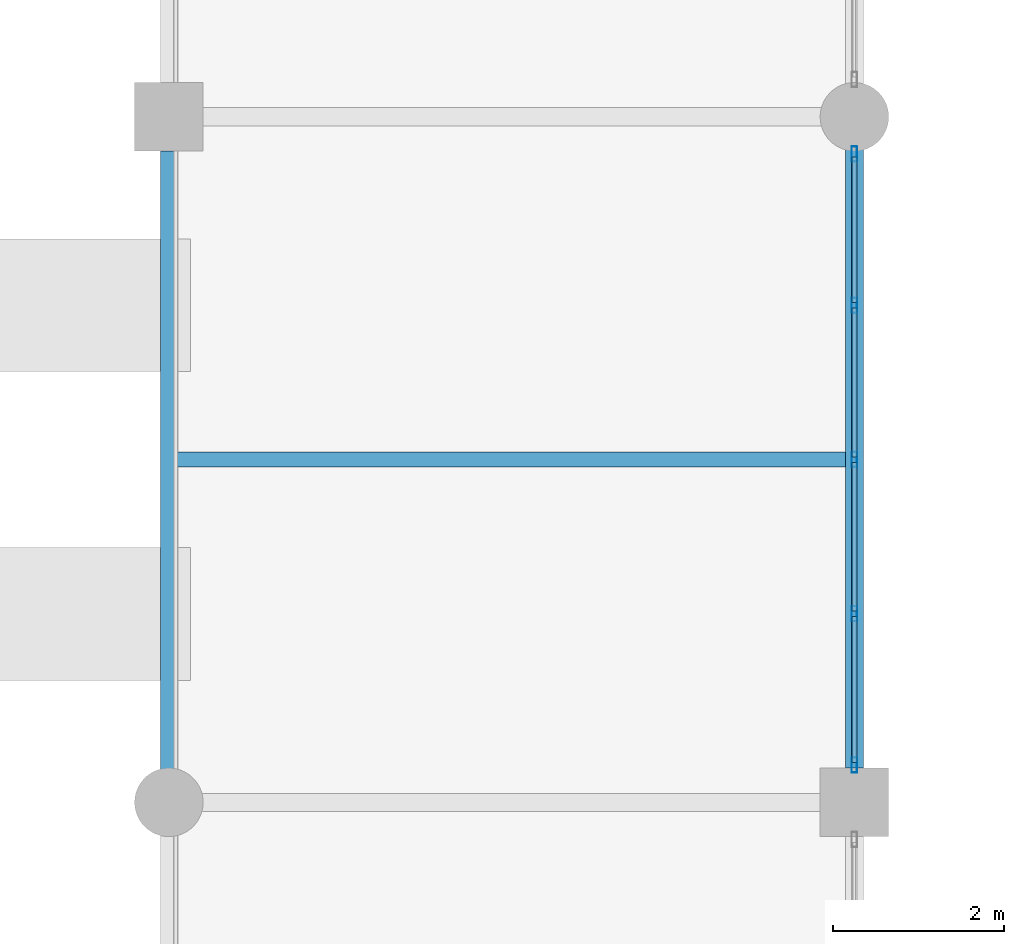
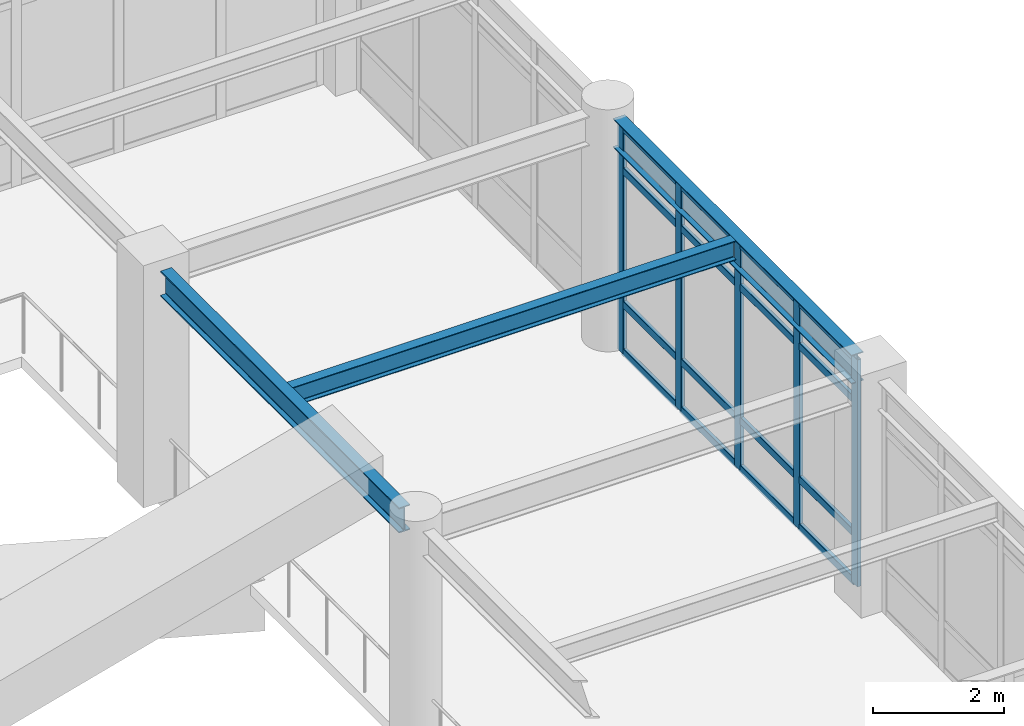
# One storey, part 32 of 111: 21 members, 3 beams, 1 element without a shape of its own.
"""IFC4 building model written with IfcOpenShell, lengths in metres."""

import ifcopenshell
import ifcopenshell.guid

model = None  # the IFC model being written
_history = None  # IfcOwnerHistory: only IFC2X3 demands one
_inside = {}  # id of a spatial element -> (the spatial element, [elements in it])
_under = {}  # id of a project, library or spatial element -> (it, [spatial elements below it])
_declared = {}  # id of a project -> (the project, [libraries it declares])
_typed = {}  # id of a type object -> (the type object, [elements of that type])
_made_of = {}  # id of a material, layer set ... -> (it, [elements and type objects made of it])


def new_model(schema):
    """Start an empty IFC model of exactly this schema.

    Asked for "IFC4X3", IfcOpenShell would pick the latest addendum, in which some entities
    have other attributes; the version numbers below select the first issue.
    IFC2X3 requires an IfcOwnerHistory on every rooted entity: one is made here for all.
    """
    global model, _history
    if schema == "IFC4X3":
        model = ifcopenshell.file(schema_version=(4, 3, 0, 0))
    else:
        model = ifcopenshell.file(schema=schema)
    _inside.clear()
    _under.clear()
    _declared.clear()
    _typed.clear()
    _made_of.clear()
    _history = None
    if model.schema == "IFC2X3":
        org = make("IfcOrganization", Name="unknown")
        user = make(
            "IfcPersonAndOrganization",
            ThePerson=make("IfcPerson", FamilyName="unknown"),
            TheOrganization=org,
        )
        app = make(
            "IfcApplication",
            ApplicationDeveloper=org,
            Version="unknown",
            ApplicationFullName="unknown",
            ApplicationIdentifier="unknown",
        )
        _history = make(
            "IfcOwnerHistory",
            OwningUser=user,
            OwningApplication=app,
            ChangeAction="ADDED",
            CreationDate=0,
        )
    return model


def make(cls, **values):
    """One entity of the class cls with the attributes given. An attribute that is None is left unset."""
    return model.create_entity(
        cls, **{name: value for name, value in values.items() if value is not None}
    )


def rooted(cls, **values):
    """An entity with a GlobalId (a new one), such as an element, a storey or a relation."""
    return make(cls, GlobalId=ifcopenshell.guid.new(), OwnerHistory=_history, **values)


def si_unit(unit_type, name, prefix=None):
    """IfcSIUnit, for example si_unit("LENGTHUNIT", "METRE", prefix="MILLI")."""
    return make("IfcSIUnit", UnitType=unit_type, Prefix=prefix, Name=name)


def assignment(units):
    """IfcUnitAssignment: the units of a project."""
    return None if units is None else make("IfcUnitAssignment", Units=units)


def point(xyz):
    """IfcCartesianPoint."""
    return None if xyz is None else make("IfcCartesianPoint", Coordinates=xyz)


def direction(xyz):
    """IfcDirection."""
    return None if xyz is None else make("IfcDirection", DirectionRatios=xyz)


def frame(location, z_axis=None, x_axis=None):
    """IfcAxis2Placement3D, a coordinate frame: its origin and axes. An axis left out is left unset."""
    return make(
        "IfcAxis2Placement3D",
        Location=point(location),
        Axis=direction(z_axis),
        RefDirection=direction(x_axis),
    )


def frame_2d(location, x_axis=None):
    """IfcAxis2Placement2D, a coordinate frame in the plane: its origin and x axis."""
    return make(
        "IfcAxis2Placement2D", Location=point(location), RefDirection=direction(x_axis)
    )


def origin():
    """The frame at (0, 0, 0) with its axes left unset."""
    return frame((0.0, 0.0, 0.0))


def origin_2d():
    """The frame at (0, 0) in the plane with its x axis left unset."""
    return frame_2d((0.0, 0.0))


def place(relative_to, where):
    """IfcLocalPlacement: puts the frame where relative to a parent placement (None: the world)."""
    return make(
        "IfcLocalPlacement", PlacementRelTo=relative_to, RelativePlacement=where
    )


def context(
    kind, dimensions, precision=None, world=None, true_north=None, identifier=None
):
    """IfcGeometricRepresentationContext, for example the 3D "Model" context."""
    return make(
        "IfcGeometricRepresentationContext",
        ContextIdentifier=identifier,
        ContextType=kind,
        CoordinateSpaceDimension=dimensions,
        Precision=precision,
        WorldCoordinateSystem=world,
        TrueNorth=true_north,
    )


def subcontext(parent, identifier, kind, view, scale=None):
    """IfcGeometricRepresentationSubContext, for example "Body" below "Model"."""
    return make(
        "IfcGeometricRepresentationSubContext",
        ContextIdentifier=identifier,
        ContextType=kind,
        ParentContext=parent,
        TargetScale=scale,
        TargetView=view,
    )


def project(units=None, contexts=None):
    """IfcProject with its units and contexts."""
    return rooted(
        "IfcProject",
        Name="project",
        RepresentationContexts=contexts,
        UnitsInContext=assignment(units),
    )


def spatial(cls, under=None, at=None, **own):
    """A site, building, storey or space (cls), placed at a placement, below another one or the project."""
    s = rooted(cls, ObjectPlacement=at, **own)
    if under is not None:
        _under.setdefault(under.id(), (under, []))[1].append(s)
    return s


def profile(cls, at=None, kind="AREA", **sizes):
    """A parametric profile (cls). Its sizes go by their IFC names, for example OverallWidth=200.0."""
    return make(cls, ProfileType=kind, Position=at, **sizes)


def hollow_rectangle(**sizes):
    """IfcRectangleHollowProfileDef."""
    return profile("IfcRectangleHollowProfileDef", **sizes)


def i_section(**sizes):
    """IfcIShapeProfileDef."""
    return profile("IfcIShapeProfileDef", **sizes)


def extrude(swept, where, along, depth):
    """IfcExtrudedAreaSolid: the profile swept, set in the frame where, extruded along a direction by depth."""
    return make(
        "IfcExtrudedAreaSolid",
        SweptArea=swept,
        Position=where,
        ExtrudedDirection=direction(along),
        Depth=depth,
    )


def shape(context_of_items, identifier, shape_type, items):
    """IfcShapeRepresentation: the items that make up one representation, for example the "Body"."""
    return make(
        "IfcShapeRepresentation",
        ContextOfItems=context_of_items,
        RepresentationIdentifier=identifier,
        RepresentationType=shape_type,
        Items=items,
    )


def material(Name=None, Category=None):
    """IfcMaterial."""
    return make("IfcMaterial", Name=Name, Category=Category)


def material_profile(
    of_material, cross_section, Name=None, Category=None, Priority=None
):
    """IfcMaterialProfile: a cross section and its material."""
    return make(
        "IfcMaterialProfile",
        Name=Name,
        Material=of_material,
        Profile=cross_section,
        Priority=Priority,
        Category=Category,
    )


def profile_set(profiles, Name=None, composite=None):
    """IfcMaterialProfileSet."""
    return make(
        "IfcMaterialProfileSet",
        Name=Name,
        MaterialProfiles=profiles,
        CompositeProfile=composite,
    )


def made_of(thing, what):
    """Note that an element or type object is made of a material, layer set ...; save() writes the relation."""
    if what is not None:
        _made_of.setdefault(what.id(), (what, []))[1].append(thing)
    return thing


def type_object(cls, material=None, **own):
    """A type object (cls), such as IfcWallType, which elements share."""
    return made_of(rooted(cls, **own), material)


def element(
    cls,
    number,
    at=None,
    inside=None,
    cuts=None,
    type_object=None,
    material=None,
    context=None,
    identifier="Body",
    shape_type=None,
    held_by="IfcProductDefinitionShape",
    body=None,
    shapes=None,
    **own,
):
    """One element of the class cls, such as IfcWall. Its Tag is "e" and its number.

    at: its placement. inside: the storey or other place that contains it. cuts: it is an
    opening in that element (IfcRelVoidsElement). A single representation is given by context,
    identifier, shape_type and body (its items); several are given by shapes. held_by: the class
    of the entity that holds the representations. save() writes the other relations.
    """
    e = rooted(cls, Tag="e%d" % number, ObjectPlacement=at, **own)
    if body is not None:
        shapes = [shape(context, identifier, shape_type, body)]
    if shapes is not None:
        e.Representation = make(held_by, Representations=shapes)
    if inside is not None:
        _inside.setdefault(inside.id(), (inside, []))[1].append(e)
    if cuts is not None:
        rooted(
            "IfcRelVoidsElement", RelatingBuildingElement=cuts, RelatedOpeningElement=e
        )
    if type_object is not None:
        _typed.setdefault(type_object.id(), (type_object, []))[1].append(e)
    return made_of(e, material)


def aggregate(whole, parts):
    """IfcRelAggregates: a whole, such as a stair, and the parts it consists of."""
    return rooted("IfcRelAggregates", RelatingObject=whole, RelatedObjects=parts)


def save(model, path):
    """Write the relations noted so far, then the file.

    IfcRelAggregates (storeys below a building ...), IfcRelContainedInSpatialStructure (elements
    in a storey), IfcRelDefinesByType, IfcRelAssociatesMaterial and IfcRelDeclares: one each for
    every whole, place, type object, material and project.
    """
    for whole, parts in _under.values():
        aggregate(whole, parts)
    for where, things in _inside.values():
        rooted(
            "IfcRelContainedInSpatialStructure",
            RelatedElements=things,
            RelatingStructure=where,
        )
    for kind, things in _typed.values():
        rooted("IfcRelDefinesByType", RelatedObjects=things, RelatingType=kind)
    for what, things in _made_of.values():
        rooted("IfcRelAssociatesMaterial", RelatedObjects=things, RelatingMaterial=what)
    for by, libraries in _declared.values():
        rooted("IfcRelDeclares", RelatingContext=by, RelatedDefinitions=libraries)
    model.write(path)


model = new_model("IFC4")

# Units and contexts
model_context = context("Model", 3, precision=1e-05, world=origin(), true_north=direction((0.0, 1.0)))
body_context = subcontext(model_context, "Body", "Model", "MODEL_VIEW")
ifc_project = project(units=[si_unit("LENGTHUNIT", "METRE"), si_unit("AREAUNIT", "SQUARE_METRE"), si_unit("VOLUMEUNIT", "CUBIC_METRE"), si_unit("PLANEANGLEUNIT", "RADIAN"), si_unit("MASSUNIT", "GRAM", prefix="KILO")], contexts=[model_context])

# Site, building, storey
site_placement = place(None, origin())
site = spatial("IfcSite", under=ifc_project, at=site_placement, CompositionType="ELEMENT")
building_placement = place(site_placement, origin())
building = spatial("IfcBuilding", under=site, at=building_placement, Name="Solmirada Galleria", CompositionType="ELEMENT")
storey_placement = place(building_placement, frame((0.0, 0.0, 10.39990234375)))
storey = spatial("IfcBuildingStorey", under=building, at=storey_placement, Name="L02", CompositionType="ELEMENT", Elevation=10.39990234375)

# Beams
ifc_material_1 = material(Name="Steel S355 / ASTM A992 Grade 50", Category="steel")
ifc_material_profile_1 = material_profile(ifc_material_1, i_section(OverallWidth=0.194091796875, OverallDepth=0.468994140625, WebThickness=0.0126953125, FlangeThickness=0.0205078125, FilletRadius=0.013916015625, at=origin_2d()), Name="W18X71")
ifc_profile_set_1 = profile_set([ifc_material_profile_1], Name="Steel S355 / ASTM A992 Grade 50")
beam_type_1 = type_object("IfcBeamType", Name="BM-GIRD-W18B", PredefinedType="BEAM", material=ifc_profile_set_1)
beam_1_placement = place(storey_placement, frame((104.0, 56.3359375, 4.065673828125), z_axis=(0.0, 1.0, 0.0), x_axis=(-1.0, 0.0, 0.0)))
element("IfcBeam", 1, at=beam_1_placement, inside=storey, type_object=beam_type_1, Name="Primary girder L03 Y(104, 56..64)", PredefinedType="BEAM", context=body_context, shape_type="SweptSolid", body=[
    extrude(i_section(OverallWidth=0.194091796875, OverallDepth=0.468994140625, WebThickness=0.0126953125, FlangeThickness=0.0205078125, FilletRadius=0.013916015625, at=origin_2d()), origin(), (0.0, 0.0, 1.0), 7.26416015625),
])
ifc_material_profile_2 = material_profile(ifc_material_1, i_section(OverallWidth=0.2099609375, OverallDepth=0.537109375, WebThickness=0.010986328125, FlangeThickness=0.017333984375, FilletRadius=0.014892578125, at=origin_2d()), Name="W21X68")
ifc_profile_set_2 = profile_set([ifc_material_profile_2], Name="Steel S355 / ASTM A992 Grade 50")
beam_type_2 = type_object("IfcBeamType", Name="BM-GIRD-W21B", PredefinedType="BEAM", material=ifc_profile_set_2)
beam_2_placement = place(storey_placement, frame((112.0, 56.39990234375, 4.031494140625), z_axis=(0.0, 1.0, 0.0), x_axis=(-1.0, 0.0, 0.0)))
element("IfcBeam", 2, at=beam_2_placement, inside=storey, type_object=beam_type_2, Name="Primary girder L03 Y(112, 56..64)", PredefinedType="BEAM", context=body_context, shape_type="SweptSolid", body=[
    extrude(i_section(OverallWidth=0.2099609375, OverallDepth=0.537109375, WebThickness=0.010986328125, FlangeThickness=0.017333984375, FilletRadius=0.014892578125, at=origin_2d()), origin(), (0.0, 0.0, 1.0), 7.26416015625),
])
ifc_material_profile_3 = material_profile(ifc_material_1, i_section(OverallWidth=0.172119140625, OverallDepth=0.35791015625, WebThickness=0.0078125, FlangeThickness=0.01318359375, FilletRadius=0.011962890625, at=origin_2d()), Name="W14X38")
ifc_profile_set_3 = profile_set([ifc_material_profile_3], Name="Steel S355 / ASTM A992 Grade 50")
beam_type_3 = type_object("IfcBeamType", Name="BM-JST-W14A", PredefinedType="JOIST", material=ifc_profile_set_3)
beam_3_placement = place(storey_placement, frame((104.096923828125, 60.0, 4.12109375), z_axis=(1.0, 0.0, 0.0), x_axis=(0.0, 1.0, 0.0)))
element("IfcBeam", 3, at=beam_3_placement, inside=storey, type_object=beam_type_3, Name="Composite floor joist L03 (104..112, 60.0)", PredefinedType="JOIST", context=body_context, shape_type="SweptSolid", body=[
    extrude(i_section(OverallWidth=0.172119140625, OverallDepth=0.35791015625, WebThickness=0.0078125, FlangeThickness=0.01318359375, FilletRadius=0.011962890625, at=origin_2d()), origin(), (0.0, 0.0, 1.0), 7.798095703125),
])

# Curtain wall, members
ifc_material_2 = material(Name="Impact-resistant low-E double glazing", Category="glass")
curtain_wall_type = type_object("IfcCurtainWallType", Name="CW-FZ3-L02-B4-L072", PredefinedType="NOTDEFINED", material=ifc_material_2)
curtain_wall_placement = place(storey_placement, origin())
curtain_wall = element("IfcCurtainWall", 4, at=curtain_wall_placement, inside=storey, type_object=curtain_wall_type, Name="Terrace and arcade storefront CW-L02-107", PredefinedType="NOTDEFINED")
ifc_material_3 = material(Name="Anodised aluminium framing", Category="aluminium")
ifc_material_profile_4 = material_profile(ifc_material_3, hollow_rectangle(XDim=0.06494140625, YDim=0.179931640625, WallThickness=0.00390625, InnerFilletRadius=0.00390625, OuterFilletRadius=0.008056640625, at=origin_2d()), Name="ALU-MULL-180X65")
ifc_profile_set_4 = profile_set([ifc_material_profile_4], Name="Anodised aluminium framing")
member_type_1 = type_object("IfcMemberType", Name="CW-MULL-180", PredefinedType="MULLION", material=ifc_profile_set_4)
member_1_placement = place(storey_placement, frame((112.0, 63.5654296875, 0.0), z_axis=(0.0, 0.0, 1.0), x_axis=(1.0, 0.0, 0.0)))
member_1 = element("IfcMember", 5, at=member_1_placement, type_object=member_type_1, Name="CW21 mullion 1", PredefinedType="MULLION", context=body_context, shape_type="SweptSolid", body=[
    extrude(hollow_rectangle(XDim=0.06494140625, YDim=0.179931640625, WallThickness=0.00390625, InnerFilletRadius=0.00390625, OuterFilletRadius=0.008056640625, at=origin_2d()), origin(), (0.0, 0.0, 1.0), 4.22021484375),
])
member_2_placement = place(storey_placement, frame((112.0, 61.799072265625, 0.0), z_axis=(0.0, 0.0, 1.0), x_axis=(1.0, 0.0, 0.0)))
member_2 = element("IfcMember", 6, at=member_2_placement, type_object=member_type_1, Name="CW21 mullion 2", PredefinedType="MULLION", context=body_context, shape_type="SweptSolid", body=[
    extrude(hollow_rectangle(XDim=0.06494140625, YDim=0.179931640625, WallThickness=0.00390625, InnerFilletRadius=0.00390625, OuterFilletRadius=0.008056640625, at=origin_2d()), origin(), (0.0, 0.0, 1.0), 4.22021484375),
])
member_3_placement = place(storey_placement, frame((112.0, 60.0, 0.0), z_axis=(0.0, 0.0, 1.0), x_axis=(1.0, 0.0, 0.0)))
member_3 = element("IfcMember", 7, at=member_3_placement, type_object=member_type_1, Name="CW21 mullion 3", PredefinedType="MULLION", context=body_context, shape_type="SweptSolid", body=[
    extrude(hollow_rectangle(XDim=0.06494140625, YDim=0.179931640625, WallThickness=0.00390625, InnerFilletRadius=0.00390625, OuterFilletRadius=0.008056640625, at=origin_2d()), origin(), (0.0, 0.0, 1.0), 4.22021484375),
])
member_4_placement = place(storey_placement, frame((112.0, 58.200927734375, 0.0), z_axis=(0.0, 0.0, 1.0), x_axis=(1.0, 0.0, 0.0)))
member_4 = element("IfcMember", 8, at=member_4_placement, type_object=member_type_1, Name="CW21 mullion 4", PredefinedType="MULLION", context=body_context, shape_type="SweptSolid", body=[
    extrude(hollow_rectangle(XDim=0.06494140625, YDim=0.179931640625, WallThickness=0.00390625, InnerFilletRadius=0.00390625, OuterFilletRadius=0.008056640625, at=origin_2d()), origin(), (0.0, 0.0, 1.0), 4.22021484375),
])
member_5_placement = place(storey_placement, frame((112.0, 56.4345703125, 0.0), z_axis=(0.0, 0.0, 1.0), x_axis=(1.0, 0.0, 0.0)))
member_5 = element("IfcMember", 9, at=member_5_placement, type_object=member_type_1, Name="CW21 mullion 5", PredefinedType="MULLION", context=body_context, shape_type="SweptSolid", body=[
    extrude(hollow_rectangle(XDim=0.06494140625, YDim=0.179931640625, WallThickness=0.00390625, InnerFilletRadius=0.00390625, OuterFilletRadius=0.008056640625, at=origin_2d()), origin(), (0.0, 0.0, 1.0), 4.22021484375),
])
ifc_material_profile_5 = material_profile(ifc_material_3, hollow_rectangle(XDim=0.06494140625, YDim=0.139892578125, WallThickness=0.00341796875, InnerFilletRadius=0.00341796875, OuterFilletRadius=0.007080078125, at=origin_2d()), Name="ALU-TRAN-140X65")
ifc_profile_set_5 = profile_set([ifc_material_profile_5], Name="Anodised aluminium framing")
member_type_2 = type_object("IfcMemberType", Name="CW-TRAN-140", PredefinedType="USERDEFINED", material=ifc_profile_set_5)
member_6_placement = place(storey_placement, frame((112.0, 63.532958984375, 0.03271484375), z_axis=(0.0, -1.0, 0.0), x_axis=(1.0, 0.0, 0.0)))
member_6 = element("IfcMember", 10, at=member_6_placement, type_object=member_type_2, Name="CW21 transom 1.1", ObjectType="TRANSOM", PredefinedType="USERDEFINED", context=body_context, shape_type="SweptSolid", body=[
    extrude(hollow_rectangle(XDim=0.06494140625, YDim=0.139892578125, WallThickness=0.00341796875, InnerFilletRadius=0.00341796875, OuterFilletRadius=0.007080078125, at=origin_2d()), origin(), (0.0, 0.0, 1.0), 1.701416015625),
])
member_7_placement = place(storey_placement, frame((112.0, 63.532958984375, 0.920166015625), z_axis=(0.0, -1.0, 0.0), x_axis=(1.0, 0.0, 0.0)))
member_7 = element("IfcMember", 11, at=member_7_placement, type_object=member_type_2, Name="CW21 transom 1.2", ObjectType="TRANSOM", PredefinedType="USERDEFINED", context=body_context, shape_type="SweptSolid", body=[
    extrude(hollow_rectangle(XDim=0.06494140625, YDim=0.139892578125, WallThickness=0.00341796875, InnerFilletRadius=0.00341796875, OuterFilletRadius=0.007080078125, at=origin_2d()), origin(), (0.0, 0.0, 1.0), 1.701416015625),
])
member_8_placement = place(storey_placement, frame((112.0, 63.532958984375, 3.400146484375), z_axis=(0.0, -1.0, 0.0), x_axis=(1.0, 0.0, 0.0)))
member_8 = element("IfcMember", 12, at=member_8_placement, type_object=member_type_2, Name="CW21 transom 1.3", ObjectType="TRANSOM", PredefinedType="USERDEFINED", context=body_context, shape_type="SweptSolid", body=[
    extrude(hollow_rectangle(XDim=0.06494140625, YDim=0.139892578125, WallThickness=0.00341796875, InnerFilletRadius=0.00341796875, OuterFilletRadius=0.007080078125, at=origin_2d()), origin(), (0.0, 0.0, 1.0), 1.701416015625),
])
member_9_placement = place(storey_placement, frame((112.0, 63.532958984375, 4.1875), z_axis=(0.0, -1.0, 0.0), x_axis=(1.0, 0.0, 0.0)))
member_9 = element("IfcMember", 13, at=member_9_placement, type_object=member_type_2, Name="CW21 transom 1.4", ObjectType="TRANSOM", PredefinedType="USERDEFINED", context=body_context, shape_type="SweptSolid", body=[
    extrude(hollow_rectangle(XDim=0.06494140625, YDim=0.139892578125, WallThickness=0.00341796875, InnerFilletRadius=0.00341796875, OuterFilletRadius=0.007080078125, at=origin_2d()), origin(), (0.0, 0.0, 1.0), 1.701416015625),
])
member_10_placement = place(storey_placement, frame((112.0, 61.7666015625, 0.03271484375), z_axis=(0.0, -1.0, 0.0), x_axis=(1.0, 0.0, 0.0)))
member_10 = element("IfcMember", 14, at=member_10_placement, type_object=member_type_2, Name="CW21 transom 2.1", ObjectType="TRANSOM", PredefinedType="USERDEFINED", context=body_context, shape_type="SweptSolid", body=[
    extrude(hollow_rectangle(XDim=0.06494140625, YDim=0.139892578125, WallThickness=0.00341796875, InnerFilletRadius=0.00341796875, OuterFilletRadius=0.007080078125, at=origin_2d()), origin(), (0.0, 0.0, 1.0), 1.734130859375),
])
member_11_placement = place(storey_placement, frame((112.0, 61.7666015625, 0.920166015625), z_axis=(0.0, -1.0, 0.0), x_axis=(1.0, 0.0, 0.0)))
member_11 = element("IfcMember", 15, at=member_11_placement, type_object=member_type_2, Name="CW21 transom 2.2", ObjectType="TRANSOM", PredefinedType="USERDEFINED", context=body_context, shape_type="SweptSolid", body=[
    extrude(hollow_rectangle(XDim=0.06494140625, YDim=0.139892578125, WallThickness=0.00341796875, InnerFilletRadius=0.00341796875, OuterFilletRadius=0.007080078125, at=origin_2d()), origin(), (0.0, 0.0, 1.0), 1.734130859375),
])
member_12_placement = place(storey_placement, frame((112.0, 61.7666015625, 3.400146484375), z_axis=(0.0, -1.0, 0.0), x_axis=(1.0, 0.0, 0.0)))
member_12 = element("IfcMember", 16, at=member_12_placement, type_object=member_type_2, Name="CW21 transom 2.3", ObjectType="TRANSOM", PredefinedType="USERDEFINED", context=body_context, shape_type="SweptSolid", body=[
    extrude(hollow_rectangle(XDim=0.06494140625, YDim=0.139892578125, WallThickness=0.00341796875, InnerFilletRadius=0.00341796875, OuterFilletRadius=0.007080078125, at=origin_2d()), origin(), (0.0, 0.0, 1.0), 1.734130859375),
])
member_13_placement = place(storey_placement, frame((112.0, 61.7666015625, 4.1875), z_axis=(0.0, -1.0, 0.0), x_axis=(1.0, 0.0, 0.0)))
member_13 = element("IfcMember", 17, at=member_13_placement, type_object=member_type_2, Name="CW21 transom 2.4", ObjectType="TRANSOM", PredefinedType="USERDEFINED", context=body_context, shape_type="SweptSolid", body=[
    extrude(hollow_rectangle(XDim=0.06494140625, YDim=0.139892578125, WallThickness=0.00341796875, InnerFilletRadius=0.00341796875, OuterFilletRadius=0.007080078125, at=origin_2d()), origin(), (0.0, 0.0, 1.0), 1.734130859375),
])
member_14_placement = place(storey_placement, frame((112.0, 59.967529296875, 0.03271484375), z_axis=(0.0, -1.0, 0.0), x_axis=(1.0, 0.0, 0.0)))
member_14 = element("IfcMember", 18, at=member_14_placement, type_object=member_type_2, Name="CW21 transom 3.1", ObjectType="TRANSOM", PredefinedType="USERDEFINED", context=body_context, shape_type="SweptSolid", body=[
    extrude(hollow_rectangle(XDim=0.06494140625, YDim=0.139892578125, WallThickness=0.00341796875, InnerFilletRadius=0.00341796875, OuterFilletRadius=0.007080078125, at=origin_2d()), origin(), (0.0, 0.0, 1.0), 1.734130859375),
])
member_15_placement = place(storey_placement, frame((112.0, 59.967529296875, 0.920166015625), z_axis=(0.0, -1.0, 0.0), x_axis=(1.0, 0.0, 0.0)))
member_15 = element("IfcMember", 19, at=member_15_placement, type_object=member_type_2, Name="CW21 transom 3.2", ObjectType="TRANSOM", PredefinedType="USERDEFINED", context=body_context, shape_type="SweptSolid", body=[
    extrude(hollow_rectangle(XDim=0.06494140625, YDim=0.139892578125, WallThickness=0.00341796875, InnerFilletRadius=0.00341796875, OuterFilletRadius=0.007080078125, at=origin_2d()), origin(), (0.0, 0.0, 1.0), 1.734130859375),
])
member_16_placement = place(storey_placement, frame((112.0, 59.967529296875, 3.400146484375), z_axis=(0.0, -1.0, 0.0), x_axis=(1.0, 0.0, 0.0)))
member_16 = element("IfcMember", 20, at=member_16_placement, type_object=member_type_2, Name="CW21 transom 3.3", ObjectType="TRANSOM", PredefinedType="USERDEFINED", context=body_context, shape_type="SweptSolid", body=[
    extrude(hollow_rectangle(XDim=0.06494140625, YDim=0.139892578125, WallThickness=0.00341796875, InnerFilletRadius=0.00341796875, OuterFilletRadius=0.007080078125, at=origin_2d()), origin(), (0.0, 0.0, 1.0), 1.734130859375),
])
member_17_placement = place(storey_placement, frame((112.0, 59.967529296875, 4.1875), z_axis=(0.0, -1.0, 0.0), x_axis=(1.0, 0.0, 0.0)))
member_17 = element("IfcMember", 21, at=member_17_placement, type_object=member_type_2, Name="CW21 transom 3.4", ObjectType="TRANSOM", PredefinedType="USERDEFINED", context=body_context, shape_type="SweptSolid", body=[
    extrude(hollow_rectangle(XDim=0.06494140625, YDim=0.139892578125, WallThickness=0.00341796875, InnerFilletRadius=0.00341796875, OuterFilletRadius=0.007080078125, at=origin_2d()), origin(), (0.0, 0.0, 1.0), 1.734130859375),
])
member_18_placement = place(storey_placement, frame((112.0, 58.16845703125, 0.03271484375), z_axis=(0.0, -1.0, 0.0), x_axis=(1.0, 0.0, 0.0)))
member_18 = element("IfcMember", 22, at=member_18_placement, type_object=member_type_2, Name="CW21 transom 4.1", ObjectType="TRANSOM", PredefinedType="USERDEFINED", context=body_context, shape_type="SweptSolid", body=[
    extrude(hollow_rectangle(XDim=0.06494140625, YDim=0.139892578125, WallThickness=0.00341796875, InnerFilletRadius=0.00341796875, OuterFilletRadius=0.007080078125, at=origin_2d()), origin(), (0.0, 0.0, 1.0), 1.701416015625),
])
member_19_placement = place(storey_placement, frame((112.0, 58.16845703125, 0.920166015625), z_axis=(0.0, -1.0, 0.0), x_axis=(1.0, 0.0, 0.0)))
member_19 = element("IfcMember", 23, at=member_19_placement, type_object=member_type_2, Name="CW21 transom 4.2", ObjectType="TRANSOM", PredefinedType="USERDEFINED", context=body_context, shape_type="SweptSolid", body=[
    extrude(hollow_rectangle(XDim=0.06494140625, YDim=0.139892578125, WallThickness=0.00341796875, InnerFilletRadius=0.00341796875, OuterFilletRadius=0.007080078125, at=origin_2d()), origin(), (0.0, 0.0, 1.0), 1.701416015625),
])
member_20_placement = place(storey_placement, frame((112.0, 58.16845703125, 3.400146484375), z_axis=(0.0, -1.0, 0.0), x_axis=(1.0, 0.0, 0.0)))
member_20 = element("IfcMember", 24, at=member_20_placement, type_object=member_type_2, Name="CW21 transom 4.3", ObjectType="TRANSOM", PredefinedType="USERDEFINED", context=body_context, shape_type="SweptSolid", body=[
    extrude(hollow_rectangle(XDim=0.06494140625, YDim=0.139892578125, WallThickness=0.00341796875, InnerFilletRadius=0.00341796875, OuterFilletRadius=0.007080078125, at=origin_2d()), origin(), (0.0, 0.0, 1.0), 1.701416015625),
])
member_21_placement = place(storey_placement, frame((112.0, 58.16845703125, 4.1875), z_axis=(0.0, -1.0, 0.0), x_axis=(1.0, 0.0, 0.0)))
member_21 = element("IfcMember", 25, at=member_21_placement, type_object=member_type_2, Name="CW21 transom 4.4", ObjectType="TRANSOM", PredefinedType="USERDEFINED", context=body_context, shape_type="SweptSolid", body=[
    extrude(hollow_rectangle(XDim=0.06494140625, YDim=0.139892578125, WallThickness=0.00341796875, InnerFilletRadius=0.00341796875, OuterFilletRadius=0.007080078125, at=origin_2d()), origin(), (0.0, 0.0, 1.0), 1.701416015625),
])
aggregate(curtain_wall, [member_1, member_2, member_3, member_4, member_5, member_6, member_7, member_8, member_9, member_10, member_11, member_12, member_13, member_14, member_15, member_16, member_17, member_18, member_19, member_20, member_21])

save(model, "model.ifc")
